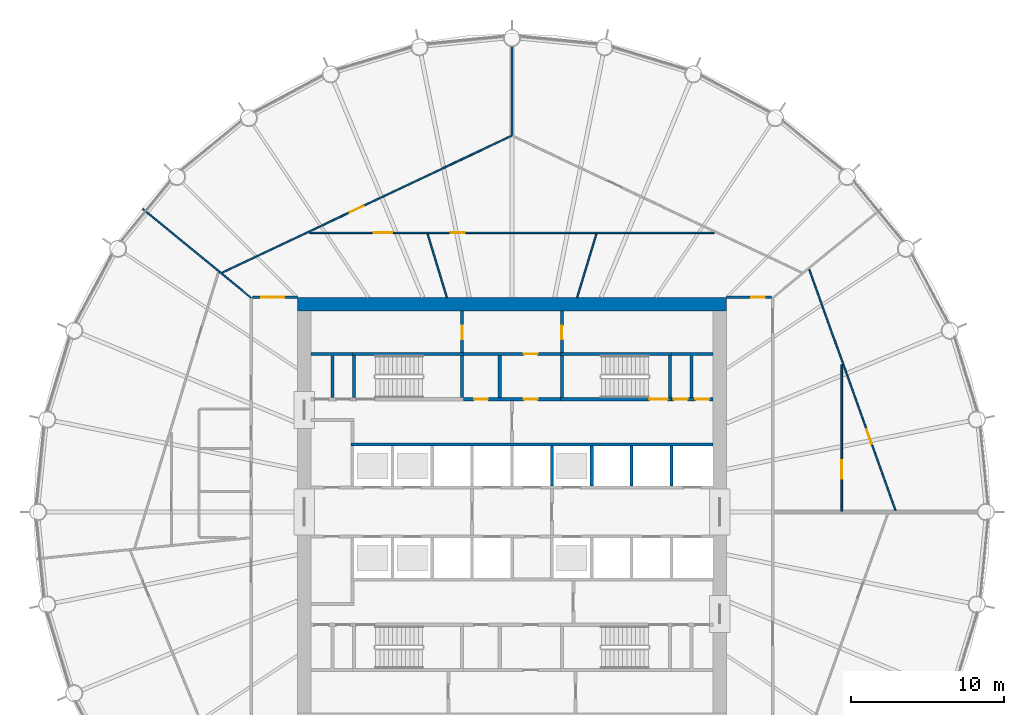
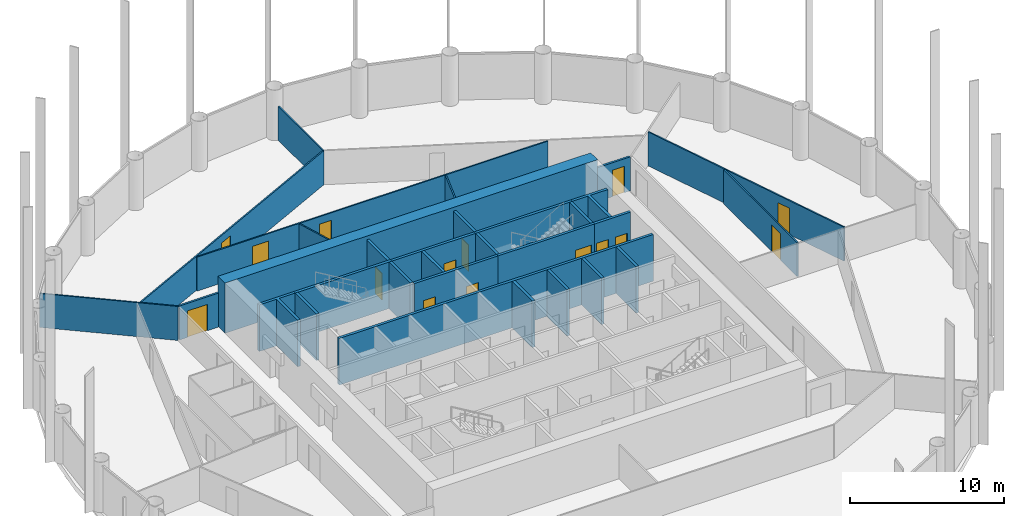
# One storey, part 7 of 10: 31 walls, 15 doors, 15 openings.
"""IFC4 building model written with IfcOpenShell, lengths in metres."""

from ifc_helpers import new_model, si_unit, direction, frame, frame_2d, origin, place, context, subcontext, project, spatial, polyline, rectangle, outline, extrude, material, layer, layer_set, type_object, element, fill, save


model = new_model("IFC4")

# Units and contexts
model_context = context("Model", 3, precision=1e-05, world=origin(), true_north=direction((0.0, 1.0)))
body_context = subcontext(model_context, "Body", "Model", "MODEL_VIEW")
ifc_project = project(units=[si_unit("LENGTHUNIT", "METRE"), si_unit("AREAUNIT", "SQUARE_METRE"), si_unit("VOLUMEUNIT", "CUBIC_METRE"), si_unit("PLANEANGLEUNIT", "RADIAN"), si_unit("MASSUNIT", "GRAM", prefix="KILO")], contexts=[model_context])

# Site, building, storey
site_placement = place(None, origin())
site = spatial("IfcSite", under=ifc_project, at=site_placement, CompositionType="ELEMENT")
building_placement = place(site_placement, origin())
building = spatial("IfcBuilding", under=site, at=building_placement, Name="Corvane Civic Tower", CompositionType="ELEMENT")
storey_placement = place(building_placement, frame((0.0, 0.0, 144.0)))
storey = spatial("IfcBuildingStorey", under=building, at=storey_placement, Name="L33", CompositionType="ELEMENT", Elevation=144.0)

# Wall
ifc_material_1 = material(Name="Concrete C60/75", Category="concrete")
ifc_layer_1 = layer(ifc_material_1, 0.89990234375)
ifc_layer_set_1 = layer_set([ifc_layer_1], Name="Concrete C60/75")
wall_type_1 = type_object("IfcWallType", Name="CORE WALL 900 C60/75", PredefinedType="SHEAR", material=ifc_layer_set_1)
wall_1_placement = place(storey_placement, frame((-14.0, 13.550048828125, 0.0), z_axis=(0.0, 0.0, 1.0), x_axis=(1.0, 0.0, 0.0)))
element("IfcWall", 1, at=wall_1_placement, inside=storey, type_object=wall_type_1, Name="W-L33-core-N", PredefinedType="SHEAR", context=body_context, shape_type="SweptSolid", body=[
    extrude(rectangle(XDim=28.0, YDim=0.89990234375, at=frame_2d((14.0, 0.0))), origin(), (0.0, 0.0, 1.0), 4.0),
])

# Wall, openings, doors
ifc_material_2 = material(Name="Concrete C30/37", Category="concrete")
ifc_layer_2 = layer(ifc_material_2, 0.199951171875)
ifc_layer_set_2 = layer_set([ifc_layer_2], Name="Concrete C30/37")
wall_type_2 = type_object("IfcWallType", Name="CR-WALL-200", PredefinedType="PARTITIONING", material=ifc_layer_set_2)
wall_2_placement = place(storey_placement, frame((-3.14990234375, 7.35009765625, 0.0), z_axis=(0.0, 0.0, 1.0), x_axis=(1.0, 0.0, 0.0)))
wall_2 = element("IfcWall", 2, at=wall_2_placement, inside=storey, type_object=wall_type_2, Name="L33 partition wall", PredefinedType="PARTITIONING", context=body_context, shape_type="SweptSolid", body=[
    extrude(rectangle(XDim=6.2998046875, YDim=0.199951171875, at=frame_2d((3.14990234375, 0.0))), origin(), (0.0, 0.0, 1.0), 3.699951171875),
])
opening_1_placement = place(wall_2_placement, frame((0.675048828125, 0.0, 0.0)))
opening_1 = element("IfcOpeningElement", 3, at=opening_1_placement, cuts=wall_2, Name="Opening L33.C04", PredefinedType="OPENING", context=body_context, shape_type="SweptSolid", body=[
    extrude(rectangle(XDim=0.89990234375, YDim=2.10009765625, at=frame_2d((0.449951171875, 1.050048828125))), frame((0.0, 0.10986328125, 0.0), z_axis=(0.0, -1.0, 0.0), x_axis=(1.0, 0.0, 0.0)), (0.0, 0.0, 1.0), 0.219970703125),
])
opening_2_placement = place(wall_2_placement, frame((3.925048828125, 0.0, 0.0)))
opening_2 = element("IfcOpeningElement", 4, at=opening_2_placement, cuts=wall_2, Name="Opening L33.C05", PredefinedType="OPENING", context=body_context, shape_type="SweptSolid", body=[
    extrude(rectangle(XDim=0.89990234375, YDim=2.10009765625, at=frame_2d((0.449951171875, 1.050048828125))), frame((0.0, 0.10986328125, 0.0), z_axis=(0.0, -1.0, 0.0), x_axis=(1.0, 0.0, 0.0)), (0.0, 0.0, 1.0), 0.219970703125),
])
ifc_material_3 = material(Name="Steel fire door leaf", Category="steel")
door_type_1 = type_object("IfcDoorType", Name="CR-DOOR-900", OperationType="SINGLE_SWING_LEFT", PredefinedType="DOOR", material=ifc_material_3)
door_1_placement = place(opening_1_placement, origin())
door_1 = element("IfcDoor", 5, at=door_1_placement, inside=storey, type_object=door_type_1, Name="L33 door", OperationType="SINGLE_SWING_LEFT", OverallHeight=2.10009765625, OverallWidth=0.89990234375, PredefinedType="DOOR", context=body_context, shape_type="SweptSolid", body=[
    extrude(rectangle(XDim=0.89990234375, YDim=2.10009765625, at=frame_2d((0.449951171875, 1.050048828125))), frame((0.0, 0.02490234375, 0.0), z_axis=(0.0, -1.0, 0.0), x_axis=(1.0, 0.0, 0.0)), (0.0, 0.0, 1.0), 0.050048828125),
])
fill(opening_1, door_1)
door_2_placement = place(opening_2_placement, origin())
door_2 = element("IfcDoor", 6, at=door_2_placement, inside=storey, type_object=door_type_1, Name="L33 door", OperationType="SINGLE_SWING_LEFT", OverallHeight=2.10009765625, OverallWidth=0.89990234375, PredefinedType="DOOR", context=body_context, shape_type="SweptSolid", body=[
    extrude(rectangle(XDim=0.89990234375, YDim=2.10009765625, at=frame_2d((0.449951171875, 1.050048828125))), frame((0.0, 0.02490234375, 0.0), z_axis=(0.0, -1.0, 0.0), x_axis=(1.0, 0.0, 0.0)), (0.0, 0.0, 1.0), 0.050048828125),
])
fill(opening_2, door_2)

wall_3_placement = place(storey_placement, frame((10.39990234375, 7.35009765625, 0.0), z_axis=(0.0, 0.0, 1.0), x_axis=(1.0, 0.0, 0.0)))
wall_3 = element("IfcWall", 7, at=wall_3_placement, inside=storey, type_object=wall_type_2, Name="L33 core partition wall", PredefinedType="PARTITIONING", context=body_context, shape_type="SweptSolid", body=[
    extrude(rectangle(XDim=2.7001953125, YDim=0.199951171875, at=frame_2d((1.35009765625, 0.0))), origin(), (0.0, 0.0, 1.0), 3.699951171875),
])
opening_3_placement = place(wall_3_placement, frame((0.14990234375, 0.0, 0.0)))
opening_3 = element("IfcOpeningElement", 8, at=opening_3_placement, cuts=wall_3, Name="Opening L33.C18", PredefinedType="OPENING", context=body_context, shape_type="SweptSolid", body=[
    extrude(rectangle(XDim=0.89990234375, YDim=2.10009765625, at=frame_2d((0.449951171875, 1.050048828125))), frame((0.0, 0.10986328125, 0.0), z_axis=(0.0, -1.0, 0.0), x_axis=(1.0, 0.0, 0.0)), (0.0, 0.0, 1.0), 0.219970703125),
])
opening_4_placement = place(wall_3_placement, frame((1.550048828125, 0.0, 0.0)))
opening_4 = element("IfcOpeningElement", 9, at=opening_4_placement, cuts=wall_3, Name="Opening L33.C19", PredefinedType="OPENING", context=body_context, shape_type="SweptSolid", body=[
    extrude(rectangle(XDim=0.89990234375, YDim=2.10009765625, at=frame_2d((0.449951171875, 1.050048828125))), frame((0.0, 0.10986328125, 0.0), z_axis=(0.0, -1.0, 0.0), x_axis=(1.0, 0.0, 0.0)), (0.0, 0.0, 1.0), 0.219970703125),
])
door_3_placement = place(opening_3_placement, origin())
door_3 = element("IfcDoor", 10, at=door_3_placement, inside=storey, type_object=door_type_1, Name="L33 door", OperationType="SINGLE_SWING_LEFT", OverallHeight=2.10009765625, OverallWidth=0.89990234375, PredefinedType="DOOR", context=body_context, shape_type="SweptSolid", body=[
    extrude(rectangle(XDim=0.89990234375, YDim=2.10009765625, at=frame_2d((0.449951171875, 1.050048828125))), frame((0.0, 0.02490234375, 0.0), z_axis=(0.0, -1.0, 0.0), x_axis=(1.0, 0.0, 0.0)), (0.0, 0.0, 1.0), 0.050048828125),
])
fill(opening_3, door_3)
door_4_placement = place(opening_4_placement, origin())
door_4 = element("IfcDoor", 11, at=door_4_placement, inside=storey, type_object=door_type_1, Name="L33 door", OperationType="SINGLE_SWING_LEFT", OverallHeight=2.10009765625, OverallWidth=0.89990234375, PredefinedType="DOOR", context=body_context, shape_type="SweptSolid", body=[
    extrude(rectangle(XDim=0.89990234375, YDim=2.10009765625, at=frame_2d((0.449951171875, 1.050048828125))), frame((0.0, 0.02490234375, 0.0), z_axis=(0.0, -1.0, 0.0), x_axis=(1.0, 0.0, 0.0)), (0.0, 0.0, 1.0), 0.050048828125),
])
fill(opening_4, door_4)

# Wall, opening, door
wall_4_placement = place(storey_placement, frame((-3.14990234375, 10.300048828125, 0.0), z_axis=(0.0, 0.0, 1.0), x_axis=(1.0, 0.0, 0.0)))
wall_4 = element("IfcWall", 12, at=wall_4_placement, inside=storey, type_object=wall_type_2, Name="L33 partition wall", PredefinedType="PARTITIONING", context=body_context, shape_type="SweptSolid", body=[
    extrude(rectangle(XDim=6.2998046875, YDim=0.199951171875, at=frame_2d((3.14990234375, 0.0))), origin(), (0.0, 0.0, 1.0), 3.699951171875),
])
opening_5_placement = place(wall_4_placement, frame((3.925048828125, 0.0, 0.0)))
opening_5 = element("IfcOpeningElement", 13, at=opening_5_placement, cuts=wall_4, Name="Opening L33.C09", PredefinedType="OPENING", context=body_context, shape_type="SweptSolid", body=[
    extrude(rectangle(XDim=0.89990234375, YDim=2.10009765625, at=frame_2d((0.449951171875, 1.050048828125))), frame((0.0, 0.10986328125, 0.0), z_axis=(0.0, -1.0, 0.0), x_axis=(1.0, 0.0, 0.0)), (0.0, 0.0, 1.0), 0.219970703125),
])
door_5_placement = place(opening_5_placement, origin())
door_5 = element("IfcDoor", 14, at=door_5_placement, inside=storey, type_object=door_type_1, Name="L33 door", OperationType="SINGLE_SWING_LEFT", OverallHeight=2.10009765625, OverallWidth=0.89990234375, PredefinedType="DOOR", context=body_context, shape_type="SweptSolid", body=[
    extrude(rectangle(XDim=0.89990234375, YDim=2.10009765625, at=frame_2d((0.449951171875, 1.050048828125))), frame((0.0, 0.02490234375, 0.0), z_axis=(0.0, -1.0, 0.0), x_axis=(1.0, 0.0, 0.0)), (0.0, 0.0, 1.0), 0.050048828125),
])
fill(opening_5, door_5)

wall_5_placement = place(storey_placement, frame((-3.25, 10.39990234375, 0.0), z_axis=(0.0, 0.0, 1.0), x_axis=(0.0, 1.0, 0.0)))
wall_5 = element("IfcWall", 15, at=wall_5_placement, inside=storey, type_object=wall_type_2, Name="L33 partition wall", PredefinedType="PARTITIONING", context=body_context, shape_type="SweptSolid", body=[
    extrude(rectangle(XDim=2.7001953125, YDim=0.199951171875, at=frame_2d((1.35009765625, 0.0))), origin(), (0.0, 0.0, 1.0), 3.699951171875),
])
opening_6_placement = place(wall_5_placement, frame((0.85009765625, 0.0, 0.0)))
opening_6 = element("IfcOpeningElement", 16, at=opening_6_placement, cuts=wall_5, Name="Opening L33.C08", PredefinedType="OPENING", context=body_context, shape_type="SweptSolid", body=[
    extrude(rectangle(XDim=0.89990234375, YDim=2.10009765625, at=frame_2d((0.449951171875, 1.050048828125))), frame((0.0, 0.10986328125, 0.0), z_axis=(0.0, -1.0, 0.0), x_axis=(1.0, 0.0, 0.0)), (0.0, 0.0, 1.0), 0.219970703125),
])
door_6_placement = place(opening_6_placement, origin())
door_6 = element("IfcDoor", 17, at=door_6_placement, inside=storey, type_object=door_type_1, Name="L33 door", OperationType="SINGLE_SWING_LEFT", OverallHeight=2.10009765625, OverallWidth=0.89990234375, PredefinedType="DOOR", context=body_context, shape_type="SweptSolid", body=[
    extrude(rectangle(XDim=0.89990234375, YDim=2.10009765625, at=frame_2d((0.449951171875, 1.050048828125))), frame((0.0, 0.02490234375, 0.0), z_axis=(0.0, -1.0, 0.0), x_axis=(1.0, 0.0, 0.0)), (0.0, 0.0, 1.0), 0.050048828125),
])
fill(opening_6, door_6)

wall_6_placement = place(storey_placement, frame((3.25, 10.39990234375, 0.0), z_axis=(0.0, 0.0, 1.0), x_axis=(0.0, 1.0, 0.0)))
wall_6 = element("IfcWall", 18, at=wall_6_placement, inside=storey, type_object=wall_type_2, Name="L33 partition wall", PredefinedType="PARTITIONING", context=body_context, shape_type="SweptSolid", body=[
    extrude(rectangle(XDim=2.7001953125, YDim=0.199951171875, at=frame_2d((1.35009765625, 0.0))), origin(), (0.0, 0.0, 1.0), 3.699951171875),
])
opening_7_placement = place(wall_6_placement, frame((0.85009765625, 0.0, 0.0)))
opening_7 = element("IfcOpeningElement", 19, at=opening_7_placement, cuts=wall_6, Name="Opening L33.C10", PredefinedType="OPENING", context=body_context, shape_type="SweptSolid", body=[
    extrude(rectangle(XDim=0.89990234375, YDim=2.10009765625, at=frame_2d((0.449951171875, 1.050048828125))), frame((0.0, 0.10986328125, 0.0), z_axis=(0.0, -1.0, 0.0), x_axis=(1.0, 0.0, 0.0)), (0.0, 0.0, 1.0), 0.219970703125),
])
door_7_placement = place(opening_7_placement, origin())
door_7 = element("IfcDoor", 20, at=door_7_placement, inside=storey, type_object=door_type_1, Name="L33 door", OperationType="SINGLE_SWING_LEFT", OverallHeight=2.10009765625, OverallWidth=0.89990234375, PredefinedType="DOOR", context=body_context, shape_type="SweptSolid", body=[
    extrude(rectangle(XDim=0.89990234375, YDim=2.10009765625, at=frame_2d((0.449951171875, 1.050048828125))), frame((0.0, 0.02490234375, 0.0), z_axis=(0.0, -1.0, 0.0), x_axis=(1.0, 0.0, 0.0)), (0.0, 0.0, 1.0), 0.050048828125),
])
fill(opening_7, door_7)

# Walls
wall_7_placement = place(storey_placement, origin())
element("IfcWall", 21, at=wall_7_placement, inside=storey, type_object=wall_type_2, Name="L33 core partition wall", PredefinedType="PARTITIONING", context=body_context, shape_type="SweptSolid", body=[
    extrude(outline(polyline([(13.10009765625, 4.5), (13.10009765625, 4.300048828125), (-10.5, 4.300048828125), (-10.5, 4.5), (13.10009765625, 4.5)])), origin(), (0.0, 0.0, 1.0), 3.699951171875),
])
wall_8_placement = place(storey_placement, origin())
element("IfcWall", 22, at=wall_8_placement, inside=storey, type_object=wall_type_2, Name="L33 core partition wall", PredefinedType="PARTITIONING", context=body_context, shape_type="SweptSolid", body=[
    extrude(outline(polyline([(2.699951171875, 1.699951171875), (2.5, 1.699951171875), (2.5, 4.2998046875), (2.699951171875, 4.2998046875), (2.699951171875, 1.699951171875)])), origin(), (0.0, 0.0, 1.0), 3.699951171875),
])
wall_9_placement = place(storey_placement, origin())
element("IfcWall", 23, at=wall_9_placement, inside=storey, type_object=wall_type_2, Name="L33 core partition wall", PredefinedType="PARTITIONING", context=body_context, shape_type="SweptSolid", body=[
    extrude(outline(polyline([(5.300048828125, 1.699951171875), (5.10009765625, 1.699951171875), (5.10009765625, 4.2998046875), (5.300048828125, 4.2998046875), (5.300048828125, 1.699951171875)])), origin(), (0.0, 0.0, 1.0), 3.699951171875),
])
wall_10_placement = place(storey_placement, origin())
element("IfcWall", 24, at=wall_10_placement, inside=storey, type_object=wall_type_2, Name="L33 core partition wall", PredefinedType="PARTITIONING", context=body_context, shape_type="SweptSolid", body=[
    extrude(outline(polyline([(7.89990234375, 1.699951171875), (7.699951171875, 1.699951171875), (7.699951171875, 4.2998046875), (7.89990234375, 4.2998046875), (7.89990234375, 1.699951171875)])), origin(), (0.0, 0.0, 1.0), 3.699951171875),
])
wall_11_placement = place(storey_placement, origin())
element("IfcWall", 25, at=wall_11_placement, inside=storey, type_object=wall_type_2, Name="L33 core partition wall", PredefinedType="PARTITIONING", context=body_context, shape_type="SweptSolid", body=[
    extrude(outline(polyline([(10.5, 1.699951171875), (10.300048828125, 1.699951171875), (10.300048828125, 4.2998046875), (10.5, 4.2998046875), (10.5, 1.699951171875)])), origin(), (0.0, 0.0, 1.0), 3.699951171875),
])
wall_12_placement = place(storey_placement, origin())
element("IfcWall", 26, at=wall_12_placement, inside=storey, type_object=wall_type_2, Name="L33 core partition wall", PredefinedType="PARTITIONING", context=body_context, shape_type="SweptSolid", body=[
    extrude(outline(polyline([(-13.10009765625, 10.39990234375), (-10.39990234375, 10.39990234375), (-10.39990234375, 10.199951171875), (-11.60009765625, 10.199951171875), (-11.60009765625, 7.449951171875), (-11.800048828125, 7.449951171875), (-11.800048828125, 10.199951171875), (-13.10009765625, 10.199951171875), (-13.10009765625, 10.39990234375)])), origin(), (0.0, 0.0, 1.0), 3.699951171875),
])
wall_13_placement = place(storey_placement, origin())
element("IfcWall", 27, at=wall_13_placement, inside=storey, type_object=wall_type_2, Name="L33 core partition wall", PredefinedType="PARTITIONING", context=body_context, shape_type="SweptSolid", body=[
    extrude(outline(polyline([(-0.699951171875, 7.449951171875), (-0.89990234375, 7.449951171875), (-0.89990234375, 10.199951171875), (-0.699951171875, 10.199951171875), (-0.699951171875, 7.449951171875)])), origin(), (0.0, 0.0, 1.0), 3.699951171875),
])
wall_14_placement = place(storey_placement, origin())
element("IfcWall", 28, at=wall_14_placement, inside=storey, type_object=wall_type_2, Name="L33 core partition wall", PredefinedType="PARTITIONING", context=body_context, shape_type="SweptSolid", body=[
    extrude(outline(polyline([(13.10009765625, 10.39990234375), (13.10009765625, 10.199951171875), (11.800048828125, 10.199951171875), (11.800048828125, 7.449951171875), (11.60009765625, 7.449951171875), (11.60009765625, 10.199951171875), (10.39990234375, 10.199951171875), (10.39990234375, 10.39990234375), (13.10009765625, 10.39990234375)])), origin(), (0.0, 0.0, 1.0), 3.699951171875),
])

# Wall, opening, door
ifc_material_4 = material(Name="Plasterboard")
ifc_layer_3 = layer(ifc_material_4, 0.10009765625)
ifc_layer_set_3 = layer_set([ifc_layer_3], Name="Plasterboard")
wall_type_3 = type_object("IfcWallType", Name="Partition 100 plasterboard on studs", PredefinedType="PARTITIONING", material=ifc_layer_set_3)
wall_15_placement = place(storey_placement, frame((21.5, 0.050048828125, 0.0), z_axis=(0.0, 0.0, 1.0), x_axis=(0.0, 1.0, 0.0)))
wall_15 = element("IfcWall", 29, at=wall_15_placement, inside=storey, type_object=wall_type_3, Name="Partition L33.020", PredefinedType="PARTITIONING", context=body_context, shape_type="SweptSolid", body=[
    extrude(rectangle(XDim=9.563232421875, YDim=0.10009765625, at=frame_2d((4.78173828125, 0.0))), origin(), (0.0, 0.0, 1.0), 2.699951171875),
])
opening_8_placement = place(wall_15_placement, frame((2.132080078125, 0.0, 0.0)))
opening_8 = element("IfcOpeningElement", 30, at=opening_8_placement, cuts=wall_15, Name="Opening L33.012", PredefinedType="OPENING", context=body_context, shape_type="SweptSolid", body=[
    extrude(rectangle(XDim=1.199951171875, YDim=2.10009765625, at=frame_2d((0.60009765625, 1.050048828125))), frame((0.0, 0.06005859375, 0.0), z_axis=(0.0, -1.0, 0.0), x_axis=(1.0, 0.0, 0.0)), (0.0, 0.0, 1.0), 0.1201171875),
])
ifc_material_5 = material(Name="Timber", Category="wood")
door_type_2 = type_object("IfcDoorType", Name="Double door 1200", OperationType="NOTDEFINED", PredefinedType="DOOR", material=ifc_material_5)
door_8_placement = place(opening_8_placement, frame((1.199951171875, 0.0, 0.0), z_axis=(0.0, 0.0, 1.0), x_axis=(-1.0, 0.0, 0.0)))
door_8 = element("IfcDoor", 31, at=door_8_placement, inside=storey, type_object=door_type_2, Name="Door L33.012", OperationType="DOUBLE_DOOR_SINGLE_SWING", OverallHeight=2.10009765625, OverallWidth=1.199951171875, PredefinedType="DOOR", context=body_context, shape_type="SweptSolid", body=[
    extrude(rectangle(XDim=1.199951171875, YDim=2.10009765625, at=frame_2d((0.60009765625, 1.050048828125))), frame((0.0, 0.02490234375, 0.0), z_axis=(0.0, -1.0, 0.0), x_axis=(1.0, 0.0, 0.0)), (0.0, 0.0, 1.0), 0.050048828125),
])
fill(opening_8, door_8)

wall_16_placement = place(storey_placement, frame((19.38232421875, 15.8203125, 0.0), z_axis=(0.0, 0.0, 1.0), x_axis=(0.33687986738, -0.941547638176, 0.0)))
wall_16 = element("IfcWall", 32, at=wall_16_placement, inside=storey, type_object=wall_type_3, Name="Partition L33.021", PredefinedType="PARTITIONING", context=body_context, shape_type="SweptSolid", body=[
    extrude(rectangle(XDim=16.7314453125, YDim=0.10009765625, at=frame_2d((8.36572265625, 0.0))), origin(), (0.0, 0.0, 1.0), 2.699951171875),
])
opening_9_placement = place(wall_16_placement, frame((11.096923828125, 0.0, 0.0)))
opening_9 = element("IfcOpeningElement", 33, at=opening_9_placement, cuts=wall_16, Name="Opening L33.011", PredefinedType="OPENING", context=body_context, shape_type="SweptSolid", body=[
    extrude(rectangle(XDim=1.0, YDim=2.10009765625, at=frame_2d((0.5, 1.050048828125))), frame((0.0, 0.06005859375, 0.0), z_axis=(0.0, -1.0, 0.0), x_axis=(1.0, 0.0, 0.0)), (0.0, 0.0, 1.0), 0.1201171875),
])
ifc_material_6 = material(Name="Timber", Category="wood")
door_type_3 = type_object("IfcDoorType", Name="Single door 1000", OperationType="NOTDEFINED", PredefinedType="DOOR", material=ifc_material_6)
door_9_placement = place(opening_9_placement, origin())
door_9 = element("IfcDoor", 34, at=door_9_placement, inside=storey, type_object=door_type_3, Name="Door L33.011", OperationType="SINGLE_SWING_LEFT", OverallHeight=2.10009765625, OverallWidth=1.0, PredefinedType="DOOR", context=body_context, shape_type="SweptSolid", body=[
    extrude(rectangle(XDim=1.0, YDim=2.10009765625, at=frame_2d((0.5, 1.050048828125))), frame((0.0, 0.02490234375, 0.0), z_axis=(0.0, -1.0, 0.0), x_axis=(1.0, 0.0, 0.0)), (0.0, 0.0, 1.0), 0.050048828125),
])
fill(opening_9, door_9)

# Walls
wall_17_placement = place(storey_placement, frame((-24.079345703125, 19.761474609375, 0.0), z_axis=(0.0, 0.0, 1.0), x_axis=(0.773006154143, -0.634398522742, 0.0)))
element("IfcWall", 35, at=wall_17_placement, inside=storey, type_object=wall_type_3, Name="Partition L33.026", PredefinedType="PARTITIONING", context=body_context, shape_type="SweptSolid", body=[
    extrude(rectangle(XDim=9.134521484375, YDim=0.10009765625, at=frame_2d((4.5673828125, 0.0))), origin(), (0.0, 0.0, 1.0), 2.699951171875),
])
for number, where, z_axis, x_axis, name in (
    (36, (-5.501220703125, 18.135498046875, 0.0), (0.0, 0.0, 1.0), (0.290264528462, -0.95694644757, 0.0), "Partition L33.029"),
    (37, (4.246826171875, 14.0, 0.0), (0.0, 0.0, 1.0), (0.290264528462, 0.95694644757, 0.0), "Partition L33.030"),
):
    element("IfcWall", number, at=place(storey_placement, frame(where, z_axis=z_axis, x_axis=x_axis)), inside=storey, type_object=wall_type_3, Name=name, PredefinedType="PARTITIONING", context=body_context, shape_type="SweptSolid", body=[
        extrude(rectangle(XDim=4.321533203125, YDim=0.10009765625, at=frame_2d((2.16064453125, 0.0))), origin(), (0.0, 0.0, 1.0), 2.699951171875),
    ])

# Wall, opening, door
wall_18_placement = place(storey_placement, frame((-18.89990234375, 15.603271484375, 0.0), z_axis=(0.0, 0.0, 1.0), x_axis=(0.903988200513, 0.427557403554, 0.0)))
wall_18 = element("IfcWall", 38, at=wall_18_placement, inside=storey, type_object=wall_type_3, Name="Partition L33.032", PredefinedType="PARTITIONING", context=body_context, shape_type="SweptSolid", body=[
    extrude(rectangle(XDim=20.875732421875, YDim=0.10009765625, at=frame_2d((10.43798828125, 0.0))), origin(), (0.0, 0.0, 1.0), 2.699951171875),
])
opening_10_placement = place(wall_18_placement, frame((9.20556640625, 0.0, 0.0)))
opening_10 = element("IfcOpeningElement", 39, at=opening_10_placement, cuts=wall_18, Name="Opening L33.001", PredefinedType="OPENING", context=body_context, shape_type="SweptSolid", body=[
    extrude(rectangle(XDim=1.0, YDim=2.10009765625, at=frame_2d((0.5, 1.050048828125))), frame((0.0, 0.06005859375, 0.0), z_axis=(0.0, -1.0, 0.0), x_axis=(1.0, 0.0, 0.0)), (0.0, 0.0, 1.0), 0.1201171875),
])
door_10_placement = place(opening_10_placement, origin())
door_10 = element("IfcDoor", 40, at=door_10_placement, inside=storey, type_object=door_type_3, Name="Door L33.001", OperationType="SINGLE_SWING_RIGHT", OverallHeight=2.10009765625, OverallWidth=1.0, PredefinedType="DOOR", context=body_context, shape_type="SweptSolid", body=[
    extrude(rectangle(XDim=1.0, YDim=2.10009765625, at=frame_2d((0.5, 1.050048828125))), frame((0.0, 0.02490234375, 0.0), z_axis=(0.0, -1.0, 0.0), x_axis=(1.0, 0.0, 0.0)), (0.0, 0.0, 1.0), 0.050048828125),
])
fill(opening_10, door_10)

# Wall, openings, doors
wall_19_placement = place(storey_placement, frame((-13.186767578125, 18.199951171875, 0.0), z_axis=(0.0, 0.0, 1.0), x_axis=(1.0, 0.0, 0.0)))
wall_19 = element("IfcWall", 41, at=wall_19_placement, inside=storey, type_object=wall_type_3, Name="Partition L33.034", PredefinedType="PARTITIONING", context=body_context, shape_type="SweptSolid", body=[
    extrude(rectangle(XDim=26.37353515625, YDim=0.10009765625, at=frame_2d((13.186767578125, 0.0))), origin(), (0.0, 0.0, 1.0), 2.699951171875),
])
opening_11_placement = place(wall_19_placement, frame((4.168701171875, 0.0, 0.0)))
opening_11 = element("IfcOpeningElement", 42, at=opening_11_placement, cuts=wall_19, Name="Opening L33.003", PredefinedType="OPENING", context=body_context, shape_type="SweptSolid", body=[
    extrude(rectangle(XDim=1.199951171875, YDim=2.10009765625, at=frame_2d((0.60009765625, 1.050048828125))), frame((0.0, 0.06005859375, 0.0), z_axis=(0.0, -1.0, 0.0), x_axis=(1.0, 0.0, 0.0)), (0.0, 0.0, 1.0), 0.1201171875),
])
opening_12_placement = place(wall_19_placement, frame((9.198974609375, 0.0, 0.0)))
opening_12 = element("IfcOpeningElement", 43, at=opening_12_placement, cuts=wall_19, Name="Opening L33.005", PredefinedType="OPENING", context=body_context, shape_type="SweptSolid", body=[
    extrude(rectangle(XDim=0.89990234375, YDim=2.10009765625, at=frame_2d((0.449951171875, 1.050048828125))), frame((0.0, 0.06005859375, 0.0), z_axis=(0.0, -1.0, 0.0), x_axis=(1.0, 0.0, 0.0)), (0.0, 0.0, 1.0), 0.1201171875),
])
door_11_placement = place(opening_11_placement, origin())
door_11 = element("IfcDoor", 44, at=door_11_placement, inside=storey, type_object=door_type_2, Name="Door L33.003", OperationType="DOUBLE_DOOR_SINGLE_SWING", OverallHeight=2.10009765625, OverallWidth=1.199951171875, PredefinedType="DOOR", context=body_context, shape_type="SweptSolid", body=[
    extrude(rectangle(XDim=1.199951171875, YDim=2.10009765625, at=frame_2d((0.60009765625, 1.050048828125))), frame((0.0, 0.02490234375, 0.0), z_axis=(0.0, -1.0, 0.0), x_axis=(1.0, 0.0, 0.0)), (0.0, 0.0, 1.0), 0.050048828125),
])
fill(opening_11, door_11)
ifc_material_7 = material(Name="Timber", Category="wood")
door_type_4 = type_object("IfcDoorType", Name="Single door 900", OperationType="NOTDEFINED", PredefinedType="DOOR", material=ifc_material_7)
door_12_placement = place(opening_12_placement, frame((0.89990234375, 0.0, 0.0), z_axis=(0.0, 0.0, 1.0), x_axis=(-1.0, 0.0, 0.0)))
door_12 = element("IfcDoor", 45, at=door_12_placement, inside=storey, type_object=door_type_4, Name="Door L33.005", OperationType="SINGLE_SWING_LEFT", OverallHeight=2.10009765625, OverallWidth=0.89990234375, PredefinedType="DOOR", context=body_context, shape_type="SweptSolid", body=[
    extrude(rectangle(XDim=0.89990234375, YDim=2.10009765625, at=frame_2d((0.449951171875, 1.050048828125))), frame((0.0, 0.02490234375, 0.0), z_axis=(0.0, -1.0, 0.0), x_axis=(1.0, 0.0, 0.0)), (0.0, 0.0, 1.0), 0.050048828125),
])
fill(opening_12, door_12)

# Wall
wall_20_placement = place(storey_placement, frame((0.0, 24.573974609375, 0.0), z_axis=(0.0, 0.0, 1.0), x_axis=(0.0, 1.0, 0.0)))
element("IfcWall", 46, at=wall_20_placement, inside=storey, type_object=wall_type_3, Name="Partition L33.035", PredefinedType="PARTITIONING", context=body_context, shape_type="SweptSolid", body=[
    extrude(rectangle(XDim=5.765869140625, YDim=0.10009765625, at=frame_2d((2.8828125, 0.0))), origin(), (0.0, 0.0, 1.0), 2.699951171875),
])

# Wall, opening, door
ifc_material_8 = material(Name="Concrete C50/60", Category="concrete")
ifc_layer_4 = layer(ifc_material_8, 0.199951171875)
ifc_layer_set_4 = layer_set([ifc_layer_4], Name="Concrete C50/60")
wall_type_4 = type_object("IfcWallType", Name="ST-WALL-200", PredefinedType="SHEAR", material=ifc_layer_set_4)
wall_21_placement = place(storey_placement, frame((3.14990234375, 7.35009765625, 0.0), z_axis=(0.0, 0.0, 1.0), x_axis=(1.0, 0.0, 0.0)))
wall_21 = element("IfcWall", 47, at=wall_21_placement, inside=storey, type_object=wall_type_4, Name="L33 stair enclosure wall", PredefinedType="SHEAR", context=body_context, shape_type="SweptSolid", body=[
    extrude(rectangle(XDim=7.25, YDim=0.199951171875, at=frame_2d((3.625, 0.0))), origin(), (0.0, 0.0, 1.0), 3.699951171875),
])
opening_13_placement = place(wall_21_placement, frame((5.800048828125, 0.0, 0.0)))
opening_13 = element("IfcOpeningElement", 48, at=opening_13_placement, cuts=wall_21, Name="Opening L33.C22", PredefinedType="OPENING", context=body_context, shape_type="SweptSolid", body=[
    extrude(rectangle(XDim=1.199951171875, YDim=2.10009765625, at=frame_2d((0.60009765625, 1.050048828125))), frame((0.0, 0.10986328125, 0.0), z_axis=(0.0, -1.0, 0.0), x_axis=(1.0, 0.0, 0.0)), (0.0, 0.0, 1.0), 0.219970703125),
])
ifc_material_9 = material(Name="Steel fire door leaf", Category="steel")
door_type_5 = type_object("IfcDoorType", Name="ST-DOOR-1200", OperationType="SINGLE_SWING_RIGHT", PredefinedType="DOOR", material=ifc_material_9)
door_13_placement = place(opening_13_placement, origin())
door_13 = element("IfcDoor", 49, at=door_13_placement, inside=storey, type_object=door_type_5, Name="L33 stair door", OperationType="SINGLE_SWING_RIGHT", OverallHeight=2.10009765625, OverallWidth=1.199951171875, PredefinedType="DOOR", context=body_context, shape_type="SweptSolid", body=[
    extrude(rectangle(XDim=1.199951171875, YDim=2.10009765625, at=frame_2d((0.60009765625, 1.050048828125))), frame((0.0, 0.02490234375, 0.0), z_axis=(0.0, -1.0, 0.0), x_axis=(1.0, 0.0, 0.0)), (0.0, 0.0, 1.0), 0.050048828125),
])
fill(opening_13, door_13)

# Walls
wall_22_placement = place(storey_placement, origin())
element("IfcWall", 50, at=wall_22_placement, inside=storey, type_object=wall_type_4, Name="L33 stair enclosure wall", PredefinedType="SHEAR", context=body_context, shape_type="SweptSolid", body=[
    extrude(outline(polyline([(-3.14990234375, 10.199951171875), (-10.39990234375, 10.199951171875), (-10.39990234375, 10.39990234375), (-3.14990234375, 10.39990234375), (-3.14990234375, 10.199951171875)])), origin(), (0.0, 0.0, 1.0), 3.699951171875),
])
wall_23_placement = place(storey_placement, origin())
element("IfcWall", 51, at=wall_23_placement, inside=storey, type_object=wall_type_4, Name="L33 stair enclosure wall", PredefinedType="SHEAR", context=body_context, shape_type="SweptSolid", body=[
    extrude(outline(polyline([(10.39990234375, 10.199951171875), (3.14990234375, 10.199951171875), (3.14990234375, 10.39990234375), (10.39990234375, 10.39990234375), (10.39990234375, 10.199951171875)])), origin(), (0.0, 0.0, 1.0), 3.699951171875),
])
wall_24_placement = place(storey_placement, origin())
element("IfcWall", 52, at=wall_24_placement, inside=storey, type_object=wall_type_4, Name="L33 stair enclosure wall", PredefinedType="SHEAR", context=body_context, shape_type="SweptSolid", body=[
    extrude(outline(polyline([(-3.14990234375, 7.449951171875), (-3.35009765625, 7.449951171875), (-3.35009765625, 10.199951171875), (-3.14990234375, 10.199951171875), (-3.14990234375, 7.449951171875)])), origin(), (0.0, 0.0, 1.0), 3.699951171875),
])
wall_25_placement = place(storey_placement, origin())
element("IfcWall", 53, at=wall_25_placement, inside=storey, type_object=wall_type_4, Name="L33 stair enclosure wall", PredefinedType="SHEAR", context=body_context, shape_type="SweptSolid", body=[
    extrude(outline(polyline([(3.35009765625, 7.449951171875), (3.14990234375, 7.449951171875), (3.14990234375, 10.199951171875), (3.35009765625, 10.199951171875), (3.35009765625, 7.449951171875)])), origin(), (0.0, 0.0, 1.0), 3.699951171875),
])
wall_26_placement = place(storey_placement, origin())
element("IfcWall", 54, at=wall_26_placement, inside=storey, type_object=wall_type_4, Name="L33 stair enclosure wall", PredefinedType="SHEAR", context=body_context, shape_type="SweptSolid", body=[
    extrude(outline(polyline([(-10.199951171875, 7.449951171875), (-10.39990234375, 7.449951171875), (-10.39990234375, 10.199951171875), (-10.199951171875, 10.199951171875), (-10.199951171875, 7.449951171875)])), origin(), (0.0, 0.0, 1.0), 3.699951171875),
])
wall_27_placement = place(storey_placement, origin())
element("IfcWall", 55, at=wall_27_placement, inside=storey, type_object=wall_type_4, Name="L33 stair enclosure wall", PredefinedType="SHEAR", context=body_context, shape_type="SweptSolid", body=[
    extrude(outline(polyline([(10.39990234375, 7.449951171875), (10.199951171875, 7.449951171875), (10.199951171875, 10.199951171875), (10.39990234375, 10.199951171875), (10.39990234375, 7.449951171875)])), origin(), (0.0, 0.0, 1.0), 3.699951171875),
])

# Wall, opening, door
ifc_material_10 = material(Name="Plasterboard")
ifc_layer_5 = layer(ifc_material_10, 0.14990234375)
ifc_layer_set_5 = layer_set([ifc_layer_5], Name="Plasterboard")
wall_type_5 = type_object("IfcWallType", Name="Tenancy wall 150 EI 60", PredefinedType="PARTITIONING", material=ifc_layer_set_5)
wall_28_placement = place(storey_placement, frame((-16.925048828125, 14.0, 0.0), z_axis=(0.0, 0.0, 1.0), x_axis=(1.0, 0.0, 0.0)))
wall_28 = element("IfcWall", 56, at=wall_28_placement, inside=storey, type_object=wall_type_5, Name="Partition L33.028", PredefinedType="PARTITIONING", context=body_context, shape_type="SweptSolid", body=[
    extrude(rectangle(XDim=2.93505859375, YDim=0.14990234375, at=frame_2d((1.467529296875, 0.0))), origin(), (0.0, 0.0, 1.0), 2.699951171875),
])
opening_14_placement = place(wall_28_placement, frame((0.5859375, 0.0, 0.0)))
opening_14 = element("IfcOpeningElement", 57, at=opening_14_placement, cuts=wall_28, Name="Opening L33.004", PredefinedType="OPENING", context=body_context, shape_type="SweptSolid", body=[
    extrude(rectangle(XDim=1.5, YDim=2.10009765625, at=frame_2d((0.75, 1.050048828125))), frame((0.0, 0.0849609375, 0.0), z_axis=(0.0, -1.0, 0.0), x_axis=(1.0, 0.0, 0.0)), (0.0, 0.0, 1.0), 0.169921875),
])
ifc_material_11 = material(Name="Steel and timber", Category="steel")
door_type_6 = type_object("IfcDoorType", Name="Fire door FD60 double 1500", OperationType="NOTDEFINED", PredefinedType="DOOR", material=ifc_material_11)
door_14_placement = place(opening_14_placement, origin())
door_14 = element("IfcDoor", 58, at=door_14_placement, inside=storey, type_object=door_type_6, Name="Door L33.004", OperationType="DOUBLE_DOOR_SINGLE_SWING", OverallHeight=2.10009765625, OverallWidth=1.5, PredefinedType="DOOR", context=body_context, shape_type="SweptSolid", body=[
    extrude(rectangle(XDim=1.5, YDim=2.10009765625, at=frame_2d((0.75, 1.050048828125))), frame((0.0, 0.02490234375, 0.0), z_axis=(0.0, -1.0, 0.0), x_axis=(1.0, 0.0, 0.0)), (0.0, 0.0, 1.0), 0.050048828125),
])
fill(opening_14, door_14)

wall_29_placement = place(storey_placement, frame((13.989990234375, 14.0, 0.0), z_axis=(0.0, 0.0, 1.0), x_axis=(1.0, 0.0, 0.0)))
wall_29 = element("IfcWall", 59, at=wall_29_placement, inside=storey, type_object=wall_type_5, Name="Partition L33.031", PredefinedType="PARTITIONING", context=body_context, shape_type="SweptSolid", body=[
    extrude(rectangle(XDim=2.93505859375, YDim=0.14990234375, at=frame_2d((1.467529296875, 0.0))), origin(), (0.0, 0.0, 1.0), 2.699951171875),
])
opening_15_placement = place(wall_29_placement, frame((1.598388671875, 0.0, 0.0)))
opening_15 = element("IfcOpeningElement", 60, at=opening_15_placement, cuts=wall_29, Name="Opening L33.006", PredefinedType="OPENING", context=body_context, shape_type="SweptSolid", body=[
    extrude(rectangle(XDim=0.89990234375, YDim=2.10009765625, at=frame_2d((0.449951171875, 1.050048828125))), frame((0.0, 0.0849609375, 0.0), z_axis=(0.0, -1.0, 0.0), x_axis=(1.0, 0.0, 0.0)), (0.0, 0.0, 1.0), 0.169921875),
])
ifc_material_12 = material(Name="Steel and timber", Category="steel")
door_type_7 = type_object("IfcDoorType", Name="Fire door FD30S 900", OperationType="NOTDEFINED", PredefinedType="DOOR", material=ifc_material_12)
door_15_placement = place(opening_15_placement, origin())
door_15 = element("IfcDoor", 61, at=door_15_placement, inside=storey, type_object=door_type_7, Name="Door L33.006", OperationType="SINGLE_SWING_LEFT", OverallHeight=2.10009765625, OverallWidth=0.89990234375, PredefinedType="DOOR", context=body_context, shape_type="SweptSolid", body=[
    extrude(rectangle(XDim=0.89990234375, YDim=2.10009765625, at=frame_2d((0.449951171875, 1.050048828125))), frame((0.0, 0.02490234375, 0.0), z_axis=(0.0, -1.0, 0.0), x_axis=(1.0, 0.0, 0.0)), (0.0, 0.0, 1.0), 0.050048828125),
])
fill(opening_15, door_15)

save(model, "model.ifc")
